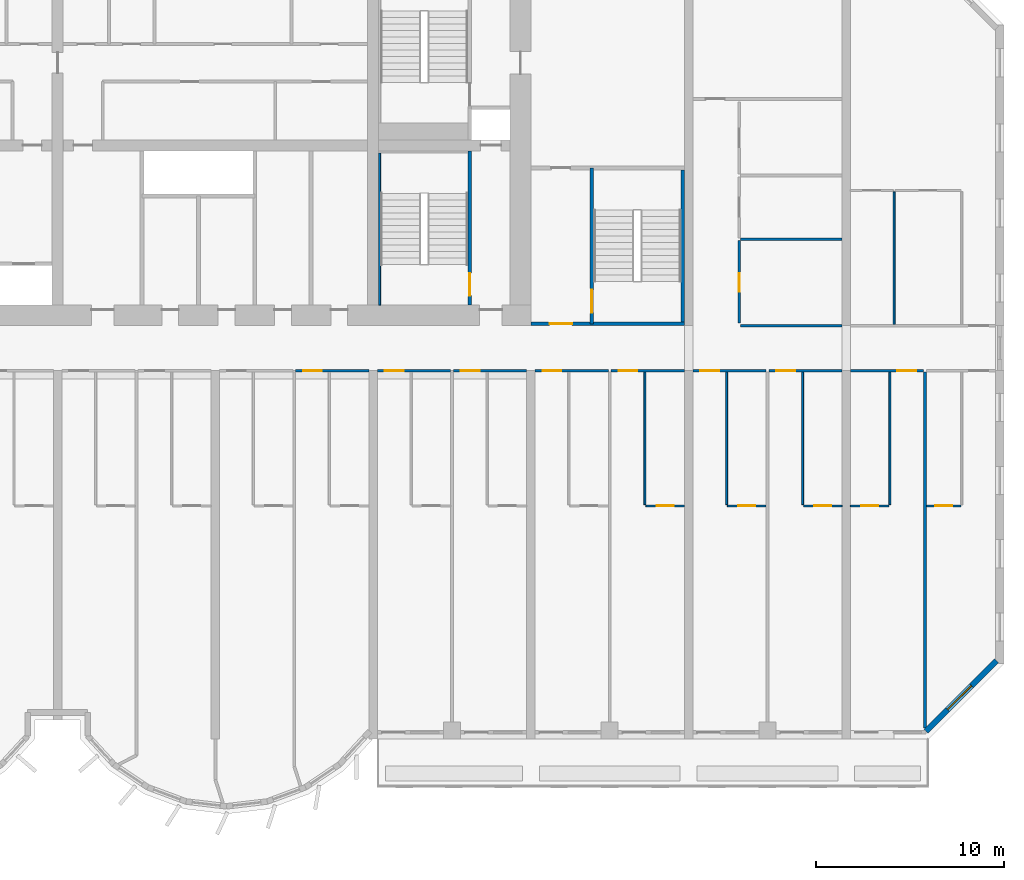
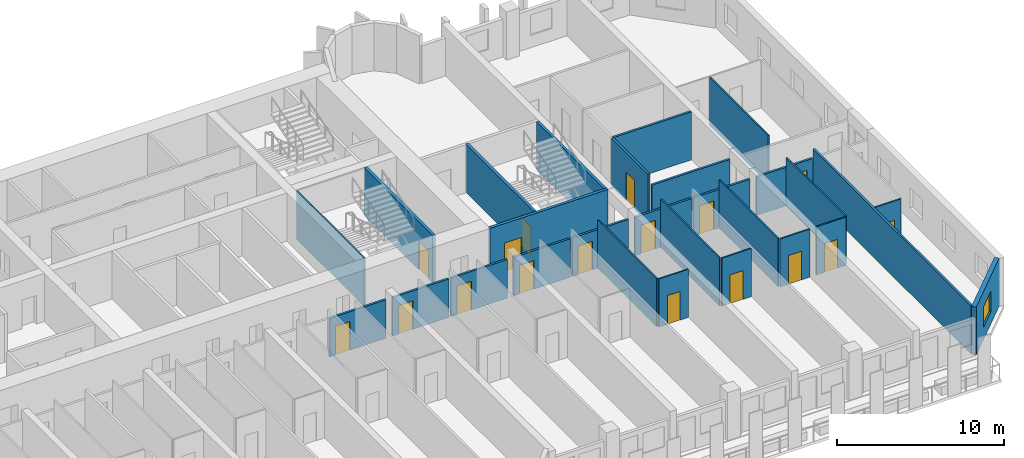
# One storey, part 9 of 15: 28 walls, 17 doors, 1 window, 18 openings.
"""IFC4 building model written with IfcOpenShell, lengths in metres."""

from ifc_helpers import new_model, si_unit, direction, frame, frame_2d, origin, place, context, subcontext, project, spatial, rectangle, extrude, source, transform, mapped, material, layer, layer_set, type_object, element, fill, save


model = new_model("IFC4")

# Units and contexts
model_context = context("Model", 3, precision=1e-05, world=origin(), true_north=direction((0.0, 1.0)))
body_context = subcontext(model_context, "Body", "Model", "MODEL_VIEW")
ifc_project = project(units=[si_unit("LENGTHUNIT", "METRE"), si_unit("AREAUNIT", "SQUARE_METRE"), si_unit("VOLUMEUNIT", "CUBIC_METRE"), si_unit("PLANEANGLEUNIT", "RADIAN"), si_unit("MASSUNIT", "GRAM", prefix="KILO")], contexts=[model_context])

# Site, building, storey
site_placement = place(None, origin())
site = spatial("IfcSite", under=ifc_project, at=site_placement, CompositionType="ELEMENT")
building_placement = place(site_placement, origin())
building = spatial("IfcBuilding", under=site, at=building_placement, Name="Vanashikhar Sky Hotel", CompositionType="ELEMENT")
storey_placement = place(building_placement, frame((0.0, 0.0, 35.39990234375)))
storey = spatial("IfcBuildingStorey", under=building, at=storey_placement, Name="L07", CompositionType="ELEMENT", Elevation=35.39990234375)

# Wall, opening, window
ifc_material_1 = material(Name="Concrete M50", Category="concrete")
ifc_layer_1 = layer(ifc_material_1, 0.300048828125)
ifc_layer_set_1 = layer_set([ifc_layer_1], Name="Lobe wall 300")
wall_type_1 = type_object("IfcWallType", Name="Lobe wall 300", PredefinedType="SOLIDWALL", material=ifc_layer_set_1)
shared_shape_1 = source(origin(), body_context, "Body", "SweptSolid", [
    extrude(rectangle(XDim=5.32568359375, YDim=0.300048828125, at=frame_2d((2.662841796875, 0.0))), origin(), (0.0, 0.0, 1.0), 3.52001953125),
])
wall_1_placement = place(storey_placement, frame((96.63427734375, 0.39990234375, 0.0), z_axis=(0.0, 0.0, 1.0), x_axis=(0.707083859269, 0.707129702361, 0.0)))
wall_1 = element("IfcWall", 1, at=wall_1_placement, inside=storey, type_object=wall_type_1, Name="Corner wall", PredefinedType="SOLIDWALL", context=body_context, shape_type="MappedRepresentation", body=[
    mapped(shared_shape_1, transform((0.0, 0.0, 0.0), scale=1.0)),
])
shared_shape_2 = source(origin(), body_context, "Body", "SweptSolid", [
    extrude(rectangle(XDim=1.800048828125, YDim=1.5, at=frame_2d((0.89990234375, 0.75))), frame((0.0, 0.16015625, 0.0), z_axis=(0.0, -1.0, 0.0), x_axis=(1.0, 0.0, 0.0)), (0.0, 0.0, 1.0), 0.320068359375),
])
opening_1_placement = place(wall_1_placement, frame((1.636474609375, 0.0, 0.89990234375)))
opening_1 = element("IfcOpeningElement", 2, at=opening_1_placement, cuts=wall_1, Name="Opening WN-4", PredefinedType="OPENING", context=body_context, shape_type="MappedRepresentation", body=[
    mapped(shared_shape_2, transform((0.0, 0.0, 0.0), scale=1.0)),
])
ifc_material_2 = material(Name="Glass", Category="glass")
window_type = type_object("IfcWindowType", Name="Corner window 1800 x 1500", PartitioningType="SINGLE_PANEL", PredefinedType="WINDOW", material=ifc_material_2)
shared_shape_3 = source(origin(), body_context, "Body", "SweptSolid", [
    extrude(rectangle(XDim=1.800048828125, YDim=1.5, at=frame_2d((0.89990234375, 0.75))), frame((0.0, 0.030029296875, 0.0), z_axis=(0.0, -1.0, 0.0), x_axis=(1.0, 0.0, 0.0)), (0.0, 0.0, 1.0), 0.06005859375),
])
window_placement = place(opening_1_placement, origin())
window = element("IfcWindow", 3, at=window_placement, inside=storey, type_object=window_type, Name="Window WN-4", OverallHeight=1.5, OverallWidth=1.800048828125, PartitioningType="SINGLE_PANEL", PredefinedType="WINDOW", context=body_context, shape_type="MappedRepresentation", body=[
    mapped(shared_shape_3, transform((0.0, 0.0, 0.0), scale=1.0)),
])
fill(opening_1, window)

# Wall, opening, door
ifc_layer_2 = layer(ifc_material_1, 0.199951171875)
ifc_layer_set_2 = layer_set([ifc_layer_2], Name="Stair wall 200")
wall_type_2 = type_object("IfcWallType", Name="Stair wall 200", PredefinedType="SOLIDWALL", material=ifc_layer_set_2)
shared_shape_4 = source(origin(), body_context, "Body", "SweptSolid", [
    extrude(rectangle(XDim=8.199951171875, YDim=0.199951171875, at=frame_2d((4.10009765625, 0.0))), origin(), (0.0, 0.0, 1.0), 3.52001953125),
])
wall_2_placement = place(storey_placement, frame((72.35009765625, 23.10009765625, 0.0), z_axis=(0.0, 0.0, 1.0), x_axis=(0.0, 1.0, 0.0)))
wall_2 = element("IfcWall", 4, at=wall_2_placement, inside=storey, type_object=wall_type_2, Name="Stair wall 200", PredefinedType="SOLIDWALL", context=body_context, shape_type="MappedRepresentation", body=[
    mapped(shared_shape_4, transform((0.0, 0.0, 0.0), scale=1.0)),
])
shared_shape_5 = source(origin(), body_context, "Body", "SweptSolid", [
    extrude(rectangle(XDim=1.199951171875, YDim=2.10009765625, at=frame_2d((0.60009765625, 1.050048828125))), frame((0.0, 0.10986328125, 0.0), z_axis=(0.0, -1.0, 0.0), x_axis=(1.0, 0.0, 0.0)), (0.0, 0.0, 1.0), 0.219970703125),
])
opening_2_placement = place(wall_2_placement, frame((0.5, 0.0, 0.0)))
opening_2 = element("IfcOpeningElement", 5, at=opening_2_placement, cuts=wall_2, Name="Opening DC-1", PredefinedType="OPENING", context=body_context, shape_type="MappedRepresentation", body=[
    mapped(shared_shape_5, transform((0.0, 0.0, 0.0), scale=1.0)),
])
ifc_material_3 = material(Name="Steel", Category="steel")
door_type_1 = type_object("IfcDoorType", Name="Stair door 1200 FD120", OperationType="NOTDEFINED", PredefinedType="DOOR", material=ifc_material_3)
shared_shape_6 = source(origin(), body_context, "Body", "SweptSolid", [
    extrude(rectangle(XDim=1.199951171875, YDim=2.10009765625, at=frame_2d((0.60009765625, 1.050048828125))), frame((0.0, 0.02490234375, 0.0), z_axis=(0.0, -1.0, 0.0), x_axis=(1.0, 0.0, 0.0)), (0.0, 0.0, 1.0), 0.050048828125),
])
door_1_placement = place(opening_2_placement, origin())
door_1 = element("IfcDoor", 6, at=door_1_placement, inside=storey, type_object=door_type_1, Name="Stair door 1200 FD120", OperationType="SINGLE_SWING_RIGHT", OverallHeight=2.10009765625, OverallWidth=1.199951171875, PredefinedType="DOOR", context=body_context, shape_type="MappedRepresentation", body=[
    mapped(shared_shape_6, transform((0.0, 0.0, 0.0), scale=1.0)),
])
fill(opening_2, door_1)

shared_shape_7 = source(origin(), body_context, "Body", "SweptSolid", [
    extrude(rectangle(XDim=8.2998046875, YDim=0.199951171875, at=frame_2d((4.14990234375, 0.0))), origin(), (0.0, 0.0, 1.0), 3.52001953125),
])
wall_3_placement = place(storey_placement, frame((78.85009765625, 22.10009765625, 0.0), z_axis=(0.0, 0.0, 1.0), x_axis=(0.0, 1.0, 0.0)))
wall_3 = element("IfcWall", 7, at=wall_3_placement, inside=storey, type_object=wall_type_2, Name="Stair wall 200", PredefinedType="SOLIDWALL", context=body_context, shape_type="MappedRepresentation", body=[
    mapped(shared_shape_7, transform((0.0, 0.0, 0.0), scale=1.0)),
])
opening_3_placement = place(wall_3_placement, frame((0.60009765625, 0.0, 0.0)))
opening_3 = element("IfcOpeningElement", 8, at=opening_3_placement, cuts=wall_3, Name="Opening DC-1", PredefinedType="OPENING", context=body_context, shape_type="MappedRepresentation", body=[
    mapped(shared_shape_5, transform((0.0, 0.0, 0.0), scale=1.0)),
])
door_2_placement = place(opening_3_placement, origin())
door_2 = element("IfcDoor", 9, at=door_2_placement, inside=storey, type_object=door_type_1, Name="Stair door 1200 FD120", OperationType="SINGLE_SWING_LEFT", OverallHeight=2.10009765625, OverallWidth=1.199951171875, PredefinedType="DOOR", context=body_context, shape_type="MappedRepresentation", body=[
    mapped(shared_shape_6, transform((0.0, 0.0, 0.0), scale=1.0)),
])
fill(opening_3, door_2)

shared_shape_8 = source(origin(), body_context, "Body", "SweptSolid", [
    extrude(rectangle(XDim=8.1748046875, YDim=0.199951171875, at=frame_2d((4.08740234375, 0.0))), origin(), (0.0, 0.0, 1.0), 3.52001953125),
])
wall_4_placement = place(storey_placement, frame((83.77490234375, 22.10009765625, 0.0), z_axis=(0.0, 0.0, 1.0), x_axis=(-1.0, 0.0, 0.0)))
wall_4 = element("IfcWall", 10, at=wall_4_placement, inside=storey, type_object=wall_type_2, Name="Stair wall 200", PredefinedType="SOLIDWALL", context=body_context, shape_type="MappedRepresentation", body=[
    mapped(shared_shape_8, transform((0.0, 0.0, 0.0), scale=1.0)),
])
opening_4_placement = place(wall_4_placement, frame((5.97509765625, 0.0, 0.0)))
opening_4 = element("IfcOpeningElement", 11, at=opening_4_placement, cuts=wall_4, Name="Opening DC-2", PredefinedType="OPENING", context=body_context, shape_type="MappedRepresentation", body=[
    mapped(shared_shape_5, transform((0.0, 0.0, 0.0), scale=1.0)),
])
door_type_2 = type_object("IfcDoorType", Name="Firefighting lobby door 1200 FD120", OperationType="NOTDEFINED", PredefinedType="DOOR", material=ifc_material_3)
door_3_placement = place(opening_4_placement, origin())
door_3 = element("IfcDoor", 12, at=door_3_placement, inside=storey, type_object=door_type_2, Name="Firefighting lobby door 1200 FD120", OperationType="SINGLE_SWING_RIGHT", OverallHeight=2.10009765625, OverallWidth=1.199951171875, PredefinedType="DOOR", context=body_context, shape_type="MappedRepresentation", body=[
    mapped(shared_shape_6, transform((0.0, 0.0, 0.0), scale=1.0)),
])
fill(opening_4, door_3)

# Walls
ifc_layer_3 = layer(ifc_material_1, 0.10009765625)
ifc_layer_set_3 = layer_set([ifc_layer_3], Name="Stair infill wall 100")
wall_type_3 = type_object("IfcWallType", Name="Stair infill wall 100", PredefinedType="SOLIDWALL", material=ifc_layer_set_3)
shared_shape_9 = source(origin(), body_context, "Body", "SweptSolid", [
    extrude(rectangle(XDim=8.099853515625, YDim=0.10009765625, at=frame_2d((4.0498046875, 0.0))), origin(), (0.0, 0.0, 1.0), 3.52001953125),
])
wall_5_placement = place(storey_placement, frame((67.550048828125, 23.10009765625, 0.0), z_axis=(0.0, 0.0, 1.0), x_axis=(0.0, 1.0, 0.0)))
element("IfcWall", 13, at=wall_5_placement, inside=storey, type_object=wall_type_3, Name="Stair infill wall 100", PredefinedType="SOLIDWALL", context=body_context, shape_type="MappedRepresentation", body=[
    mapped(shared_shape_9, transform((0.0, 0.0, 0.0), scale=1.0)),
])
ifc_layer_4 = layer(ifc_material_1, 0.175048828125)
ifc_layer_set_4 = layer_set([ifc_layer_4], Name="Stair infill wall 175")
wall_type_4 = type_object("IfcWallType", Name="Stair infill wall 175", PredefinedType="SOLIDWALL", material=ifc_layer_set_4)
shared_shape_10 = source(origin(), body_context, "Body", "SweptSolid", [
    extrude(rectangle(XDim=8.10009765625, YDim=0.175048828125, at=frame_2d((4.050048828125, 0.0))), origin(), (0.0, 0.0, 1.0), 3.52001953125),
])
wall_6_placement = place(storey_placement, frame((83.68798828125, 22.199951171875, 0.0), z_axis=(0.0, 0.0, 1.0), x_axis=(0.0, 1.0, 0.0)))
element("IfcWall", 14, at=wall_6_placement, inside=storey, type_object=wall_type_4, Name="Stair infill wall 175", PredefinedType="SOLIDWALL", context=body_context, shape_type="MappedRepresentation", body=[
    mapped(shared_shape_10, transform((0.0, 0.0, 0.0), scale=1.0)),
])
ifc_material_4 = material(Name="Gypsum plasterboard partition")
ifc_layer_5 = layer(ifc_material_4, 0.10009765625)
ifc_layer_set_5 = layer_set([ifc_layer_5], Name="Wet room partition 100")
wall_type_5 = type_object("IfcWallType", Name="Wet room partition 100", PredefinedType="PARTITIONING", material=ifc_layer_set_5)
shared_shape_11 = source(origin(), body_context, "Body", "SweptSolid", [
    extrude(rectangle(XDim=7.0498046875, YDim=0.10009765625, at=frame_2d((3.52490234375, 0.0))), origin(), (0.0, 0.0, 1.0), 3.52001953125),
])
for number, where, z_axis, x_axis, name in (
    (15, (81.675048828125, 12.47509765625, 0.0), (0.0, 0.0, 1.0), (0.0, 1.0, 0.0), "W-L07-PW067"),
    (16, (86.02490234375, 12.47509765625, 0.0), (0.0, 0.0, 1.0), (0.0, 1.0, 0.0), "W-L07-PW071"),
    (17, (90.074951171875, 12.47509765625, 0.0), (0.0, 0.0, 1.0), (0.0, 1.0, 0.0), "W-L07-PW074"),
    (18, (94.72509765625, 12.47509765625, 0.0), (0.0, 0.0, 1.0), (0.0, 1.0, 0.0), "W-L07-PW078"),
):
    element("IfcWall", number, at=place(storey_placement, frame(where, z_axis=z_axis, x_axis=x_axis)), inside=storey, type_object=wall_type_5, Name=name, PredefinedType="PARTITIONING", context=body_context, shape_type="MappedRepresentation", body=[
        mapped(shared_shape_11, transform((0.0, 0.0, 0.0), scale=1.0)),
    ])

# Wall, opening, door
shared_shape_12 = source(origin(), body_context, "Body", "SweptSolid", [
    extrude(rectangle(XDim=1.824951171875, YDim=0.10009765625, at=frame_2d((0.91259765625, 0.0))), origin(), (0.0, 0.0, 1.0), 3.52001953125),
])
wall_7_placement = place(storey_placement, frame((96.675048828125, 12.39990234375, 0.0), z_axis=(0.0, 0.0, 1.0), x_axis=(1.0, 0.0, 0.0)))
wall_7 = element("IfcWall", 19, at=wall_7_placement, inside=storey, type_object=wall_type_5, Name="W-L07-PW082", PredefinedType="PARTITIONING", context=body_context, shape_type="MappedRepresentation", body=[
    mapped(shared_shape_12, transform((0.0, 0.0, 0.0), scale=1.0)),
])
shared_shape_13 = source(origin(), body_context, "Body", "SweptSolid", [
    extrude(rectangle(XDim=0.89990234375, YDim=2.10009765625, at=frame_2d((0.449951171875, 1.050048828125))), frame((0.0, 0.06005859375, 0.0), z_axis=(0.0, -1.0, 0.0), x_axis=(1.0, 0.0, 0.0)), (0.0, 0.0, 1.0), 0.1201171875),
])
opening_5_placement = place(wall_7_placement, frame((0.462890625, 0.0, 0.0)))
opening_5 = element("IfcOpeningElement", 20, at=opening_5_placement, cuts=wall_7, Name="Opening D-02", PredefinedType="OPENING", context=body_context, shape_type="MappedRepresentation", body=[
    mapped(shared_shape_13, transform((0.0, 0.0, 0.0), scale=1.0)),
])
ifc_material_5 = material(Name="Timber door", Category="wood")
door_type_3 = type_object("IfcDoorType", Name="Internal door 900", OperationType="NOTDEFINED", PredefinedType="DOOR", material=ifc_material_5)
shared_shape_14 = source(origin(), body_context, "Body", "SweptSolid", [
    extrude(rectangle(XDim=0.89990234375, YDim=2.10009765625, at=frame_2d((0.449951171875, 1.050048828125))), frame((0.0, 0.02490234375, 0.0), z_axis=(0.0, -1.0, 0.0), x_axis=(1.0, 0.0, 0.0)), (0.0, 0.0, 1.0), 0.050048828125),
])
door_4_placement = place(opening_5_placement, origin())
door_4 = element("IfcDoor", 21, at=door_4_placement, inside=storey, type_object=door_type_3, Name="D-L07-047", OperationType="SINGLE_SWING_RIGHT", OverallHeight=2.10009765625, OverallWidth=0.89990234375, PredefinedType="DOOR", context=body_context, shape_type="MappedRepresentation", body=[
    mapped(shared_shape_14, transform((0.0, 0.0, 0.0), scale=1.0)),
])
fill(opening_5, door_4)

shared_shape_15 = source(origin(), body_context, "Body", "SweptSolid", [
    extrude(rectangle(XDim=2.050048828125, YDim=0.10009765625, at=frame_2d((1.02490234375, 0.0))), origin(), (0.0, 0.0, 1.0), 3.52001953125),
])
wall_8_placement = place(storey_placement, frame((86.074951171875, 12.39990234375, 0.0), z_axis=(0.0, 0.0, 1.0), x_axis=(1.0, 0.0, 0.0)))
wall_8 = element("IfcWall", 22, at=wall_8_placement, inside=storey, type_object=wall_type_5, Name="W-L07-PW072", PredefinedType="PARTITIONING", context=body_context, shape_type="MappedRepresentation", body=[
    mapped(shared_shape_15, transform((0.0, 0.0, 0.0), scale=1.0)),
])
opening_6_placement = place(wall_8_placement, frame((0.574951171875, 0.0, 0.0)))
opening_6 = element("IfcOpeningElement", 23, at=opening_6_placement, cuts=wall_8, Name="Opening D-02", PredefinedType="OPENING", context=body_context, shape_type="MappedRepresentation", body=[
    mapped(shared_shape_13, transform((0.0, 0.0, 0.0), scale=1.0)),
])
door_5_placement = place(opening_6_placement, origin())
door_5 = element("IfcDoor", 24, at=door_5_placement, inside=storey, type_object=door_type_3, Name="D-L07-041", OperationType="SINGLE_SWING_LEFT", OverallHeight=2.10009765625, OverallWidth=0.89990234375, PredefinedType="DOOR", context=body_context, shape_type="MappedRepresentation", body=[
    mapped(shared_shape_14, transform((0.0, 0.0, 0.0), scale=1.0)),
])
fill(opening_6, door_5)

wall_9_placement = place(storey_placement, frame((90.125, 12.39990234375, 0.0), z_axis=(0.0, 0.0, 1.0), x_axis=(1.0, 0.0, 0.0)))
wall_9 = element("IfcWall", 25, at=wall_9_placement, inside=storey, type_object=wall_type_5, Name="W-L07-PW075", PredefinedType="PARTITIONING", context=body_context, shape_type="MappedRepresentation", body=[
    mapped(shared_shape_15, transform((0.0, 0.0, 0.0), scale=1.0)),
])
opening_7_placement = place(wall_9_placement, frame((0.574951171875, 0.0, 0.0)))
opening_7 = element("IfcOpeningElement", 26, at=opening_7_placement, cuts=wall_9, Name="Opening D-02", PredefinedType="OPENING", context=body_context, shape_type="MappedRepresentation", body=[
    mapped(shared_shape_13, transform((0.0, 0.0, 0.0), scale=1.0)),
])
door_6_placement = place(opening_7_placement, origin())
door_6 = element("IfcDoor", 27, at=door_6_placement, inside=storey, type_object=door_type_3, Name="D-L07-043", OperationType="SINGLE_SWING_LEFT", OverallHeight=2.10009765625, OverallWidth=0.89990234375, PredefinedType="DOOR", context=body_context, shape_type="MappedRepresentation", body=[
    mapped(shared_shape_14, transform((0.0, 0.0, 0.0), scale=1.0)),
])
fill(opening_7, door_6)

wall_10_placement = place(storey_placement, frame((92.625, 12.39990234375, 0.0), z_axis=(0.0, 0.0, 1.0), x_axis=(1.0, 0.0, 0.0)))
wall_10 = element("IfcWall", 28, at=wall_10_placement, inside=storey, type_object=wall_type_5, Name="W-L07-PW079", PredefinedType="PARTITIONING", context=body_context, shape_type="MappedRepresentation", body=[
    mapped(shared_shape_15, transform((0.0, 0.0, 0.0), scale=1.0)),
])
opening_8_placement = place(wall_10_placement, frame((0.574951171875, 0.0, 0.0)))
opening_8 = element("IfcOpeningElement", 29, at=opening_8_placement, cuts=wall_10, Name="Opening D-02", PredefinedType="OPENING", context=body_context, shape_type="MappedRepresentation", body=[
    mapped(shared_shape_13, transform((0.0, 0.0, 0.0), scale=1.0)),
])
door_7_placement = place(opening_8_placement, origin())
door_7 = element("IfcDoor", 30, at=door_7_placement, inside=storey, type_object=door_type_3, Name="D-L07-045", OperationType="SINGLE_SWING_RIGHT", OverallHeight=2.10009765625, OverallWidth=0.89990234375, PredefinedType="DOOR", context=body_context, shape_type="MappedRepresentation", body=[
    mapped(shared_shape_14, transform((0.0, 0.0, 0.0), scale=1.0)),
])
fill(opening_8, door_7)

ifc_layer_6 = layer(ifc_material_4, 0.14990234375)
ifc_layer_set_6 = layer_set([ifc_layer_6], Name="Corridor and demising partition 150")
wall_type_6 = type_object("IfcWallType", Name="Corridor and demising partition 150", PredefinedType="PARTITIONING", material=ifc_layer_set_6)
shared_shape_16 = source(origin(), body_context, "Body", "SweptSolid", [
    extrude(rectangle(XDim=3.900146484375, YDim=0.14990234375, at=frame_2d((1.9501953125, 0.0))), origin(), (0.0, 0.0, 1.0), 2.820068359375),
])
wall_11_placement = place(storey_placement, frame((63.074951171875, 19.60009765625, 0.0), z_axis=(0.0, 0.0, 1.0), x_axis=(1.0, 0.0, 0.0)))
wall_11 = element("IfcWall", 31, at=wall_11_placement, inside=storey, type_object=wall_type_6, Name="W-L07-PW055", PredefinedType="PARTITIONING", context=body_context, shape_type="MappedRepresentation", body=[
    mapped(shared_shape_16, transform((0.0, 0.0, 0.0), scale=1.0)),
])
shared_shape_17 = source(origin(), body_context, "Body", "SweptSolid", [
    extrude(rectangle(XDim=1.0, YDim=2.10009765625, at=frame_2d((0.5, 1.050048828125))), frame((0.0, 0.0849609375, 0.0), z_axis=(0.0, -1.0, 0.0), x_axis=(1.0, 0.0, 0.0)), (0.0, 0.0, 1.0), 0.169921875),
])
opening_9_placement = place(wall_11_placement, frame((0.39990234375, 0.0, 0.0)))
opening_9 = element("IfcOpeningElement", 32, at=opening_9_placement, cuts=wall_11, Name="Opening D-01", PredefinedType="OPENING", context=body_context, shape_type="MappedRepresentation", body=[
    mapped(shared_shape_17, transform((0.0, 0.0, 0.0), scale=1.0)),
])
ifc_material_6 = material(Name="Timber fire door", Category="wood")
door_type_4 = type_object("IfcDoorType", Name="Guest entry door 1000 FD30S", OperationType="NOTDEFINED", PredefinedType="DOOR", material=ifc_material_6)
shared_shape_18 = source(origin(), body_context, "Body", "SweptSolid", [
    extrude(rectangle(XDim=1.0, YDim=2.10009765625, at=frame_2d((0.5, 1.050048828125))), frame((0.0, 0.02490234375, 0.0), z_axis=(0.0, -1.0, 0.0), x_axis=(1.0, 0.0, 0.0)), (0.0, 0.0, 1.0), 0.050048828125),
])
door_8_placement = place(opening_9_placement, origin())
door_8 = element("IfcDoor", 33, at=door_8_placement, inside=storey, type_object=door_type_4, Name="D-L07-032", OperationType="SINGLE_SWING_LEFT", OverallHeight=2.10009765625, OverallWidth=1.0, PredefinedType="DOOR", context=body_context, shape_type="MappedRepresentation", body=[
    mapped(shared_shape_18, transform((0.0, 0.0, 0.0), scale=1.0)),
])
fill(opening_9, door_8)

wall_12_placement = place(storey_placement, frame((75.824951171875, 19.60009765625, 0.0), z_axis=(0.0, 0.0, 1.0), x_axis=(1.0, 0.0, 0.0)))
wall_12 = element("IfcWall", 34, at=wall_12_placement, inside=storey, type_object=wall_type_6, Name="W-L07-PW066", PredefinedType="PARTITIONING", context=body_context, shape_type="MappedRepresentation", body=[
    mapped(shared_shape_16, transform((0.0, 0.0, 0.0), scale=1.0)),
])
opening_10_placement = place(wall_12_placement, frame((0.39990234375, 0.0, 0.0)))
opening_10 = element("IfcOpeningElement", 35, at=opening_10_placement, cuts=wall_12, Name="Opening D-01", PredefinedType="OPENING", context=body_context, shape_type="MappedRepresentation", body=[
    mapped(shared_shape_17, transform((0.0, 0.0, 0.0), scale=1.0)),
])
door_9_placement = place(opening_10_placement, origin())
door_9 = element("IfcDoor", 36, at=door_9_placement, inside=storey, type_object=door_type_4, Name="D-L07-038", OperationType="SINGLE_SWING_LEFT", OverallHeight=2.10009765625, OverallWidth=1.0, PredefinedType="DOOR", context=body_context, shape_type="MappedRepresentation", body=[
    mapped(shared_shape_18, transform((0.0, 0.0, 0.0), scale=1.0)),
])
fill(opening_10, door_9)

wall_13_placement = place(storey_placement, frame((88.27490234375, 19.60009765625, 0.0), z_axis=(0.0, 0.0, 1.0), x_axis=(1.0, 0.0, 0.0)))
wall_13 = element("IfcWall", 37, at=wall_13_placement, inside=storey, type_object=wall_type_6, Name="W-L07-PW076", PredefinedType="PARTITIONING", context=body_context, shape_type="MappedRepresentation", body=[
    mapped(shared_shape_16, transform((0.0, 0.0, 0.0), scale=1.0)),
])
opening_11_placement = place(wall_13_placement, frame((0.39990234375, 0.0, 0.0)))
opening_11 = element("IfcOpeningElement", 38, at=opening_11_placement, cuts=wall_13, Name="Opening D-01", PredefinedType="OPENING", context=body_context, shape_type="MappedRepresentation", body=[
    mapped(shared_shape_17, transform((0.0, 0.0, 0.0), scale=1.0)),
])
door_10_placement = place(opening_11_placement, origin())
door_10 = element("IfcDoor", 39, at=door_10_placement, inside=storey, type_object=door_type_4, Name="D-L07-044", OperationType="SINGLE_SWING_LEFT", OverallHeight=2.10009765625, OverallWidth=1.0, PredefinedType="DOOR", context=body_context, shape_type="MappedRepresentation", body=[
    mapped(shared_shape_18, transform((0.0, 0.0, 0.0), scale=1.0)),
])
fill(opening_11, door_10)

# Wall
shared_shape_19 = source(origin(), body_context, "Body", "SweptSolid", [
    extrude(rectangle(XDim=18.947021484375, YDim=0.14990234375, at=frame_2d((9.4736328125, 0.0))), origin(), (0.0, 0.0, 1.0), 3.52001953125),
])
wall_14_placement = place(storey_placement, frame((96.60009765625, 0.577880859375, 0.0), z_axis=(0.0, 0.0, 1.0), x_axis=(0.0, 1.0, 0.0)))
element("IfcWall", 40, at=wall_14_placement, inside=storey, type_object=wall_type_6, Name="W-L07-PW084", PredefinedType="PARTITIONING", context=body_context, shape_type="MappedRepresentation", body=[
    mapped(shared_shape_19, transform((0.0, 0.0, 0.0), scale=1.0)),
])

# Wall, opening, door
shared_shape_20 = source(origin(), body_context, "Body", "SweptSolid", [
    extrude(rectangle(XDim=2.0498046875, YDim=0.10009765625, at=frame_2d((1.02490234375, 0.0))), origin(), (0.0, 0.0, 1.0), 3.52001953125),
])
wall_15_placement = place(storey_placement, frame((81.72509765625, 12.39990234375, 0.0), z_axis=(0.0, 0.0, 1.0), x_axis=(1.0, 0.0, 0.0)))
wall_15 = element("IfcWall", 41, at=wall_15_placement, inside=storey, type_object=wall_type_5, Name="W-L07-PW068", PredefinedType="PARTITIONING", context=body_context, shape_type="MappedRepresentation", body=[
    mapped(shared_shape_20, transform((0.0, 0.0, 0.0), scale=1.0)),
])
opening_12_placement = place(wall_15_placement, frame((0.574951171875, 0.0, 0.0)))
opening_12 = element("IfcOpeningElement", 42, at=opening_12_placement, cuts=wall_15, Name="Opening D-02", PredefinedType="OPENING", context=body_context, shape_type="MappedRepresentation", body=[
    mapped(shared_shape_13, transform((0.0, 0.0, 0.0), scale=1.0)),
])
door_11_placement = place(opening_12_placement, origin())
door_11 = element("IfcDoor", 43, at=door_11_placement, inside=storey, type_object=door_type_3, Name="D-L07-039", OperationType="SINGLE_SWING_LEFT", OverallHeight=2.10009765625, OverallWidth=0.89990234375, PredefinedType="DOOR", context=body_context, shape_type="MappedRepresentation", body=[
    mapped(shared_shape_14, transform((0.0, 0.0, 0.0), scale=1.0)),
])
fill(opening_12, door_11)

shared_shape_21 = source(origin(), body_context, "Body", "SweptSolid", [
    extrude(rectangle(XDim=3.89990234375, YDim=0.14990234375, at=frame_2d((1.949951171875, 0.0))), origin(), (0.0, 0.0, 1.0), 2.820068359375),
])
wall_16_placement = place(storey_placement, frame((67.425048828125, 19.60009765625, 0.0), z_axis=(0.0, 0.0, 1.0), x_axis=(1.0, 0.0, 0.0)))
wall_16 = element("IfcWall", 44, at=wall_16_placement, inside=storey, type_object=wall_type_6, Name="W-L07-PW059", PredefinedType="PARTITIONING", context=body_context, shape_type="MappedRepresentation", body=[
    mapped(shared_shape_21, transform((0.0, 0.0, 0.0), scale=1.0)),
])
opening_13_placement = place(wall_16_placement, frame((0.39990234375, 0.0, 0.0)))
opening_13 = element("IfcOpeningElement", 45, at=opening_13_placement, cuts=wall_16, Name="Opening D-01", PredefinedType="OPENING", context=body_context, shape_type="MappedRepresentation", body=[
    mapped(shared_shape_17, transform((0.0, 0.0, 0.0), scale=1.0)),
])
door_12_placement = place(opening_13_placement, origin())
door_12 = element("IfcDoor", 46, at=door_12_placement, inside=storey, type_object=door_type_4, Name="D-L07-034", OperationType="SINGLE_SWING_LEFT", OverallHeight=2.10009765625, OverallWidth=1.0, PredefinedType="DOOR", context=body_context, shape_type="MappedRepresentation", body=[
    mapped(shared_shape_18, transform((0.0, 0.0, 0.0), scale=1.0)),
])
fill(opening_13, door_12)

wall_17_placement = place(storey_placement, frame((71.47509765625, 19.60009765625, 0.0), z_axis=(0.0, 0.0, 1.0), x_axis=(1.0, 0.0, 0.0)))
wall_17 = element("IfcWall", 47, at=wall_17_placement, inside=storey, type_object=wall_type_6, Name="W-L07-PW062", PredefinedType="PARTITIONING", context=body_context, shape_type="MappedRepresentation", body=[
    mapped(shared_shape_21, transform((0.0, 0.0, 0.0), scale=1.0)),
])
opening_14_placement = place(wall_17_placement, frame((0.39990234375, 0.0, 0.0)))
opening_14 = element("IfcOpeningElement", 48, at=opening_14_placement, cuts=wall_17, Name="Opening D-01", PredefinedType="OPENING", context=body_context, shape_type="MappedRepresentation", body=[
    mapped(shared_shape_17, transform((0.0, 0.0, 0.0), scale=1.0)),
])
door_13_placement = place(opening_14_placement, origin())
door_13 = element("IfcDoor", 49, at=door_13_placement, inside=storey, type_object=door_type_4, Name="D-L07-036", OperationType="SINGLE_SWING_LEFT", OverallHeight=2.10009765625, OverallWidth=1.0, PredefinedType="DOOR", context=body_context, shape_type="MappedRepresentation", body=[
    mapped(shared_shape_18, transform((0.0, 0.0, 0.0), scale=1.0)),
])
fill(opening_14, door_13)

wall_18_placement = place(storey_placement, frame((79.875, 19.60009765625, 0.0), z_axis=(0.0, 0.0, 1.0), x_axis=(1.0, 0.0, 0.0)))
wall_18 = element("IfcWall", 50, at=wall_18_placement, inside=storey, type_object=wall_type_6, Name="W-L07-PW069", PredefinedType="PARTITIONING", context=body_context, shape_type="MappedRepresentation", body=[
    mapped(shared_shape_21, transform((0.0, 0.0, 0.0), scale=1.0)),
])
opening_15_placement = place(wall_18_placement, frame((0.39990234375, 0.0, 0.0)))
opening_15 = element("IfcOpeningElement", 51, at=opening_15_placement, cuts=wall_18, Name="Opening D-01", PredefinedType="OPENING", context=body_context, shape_type="MappedRepresentation", body=[
    mapped(shared_shape_17, transform((0.0, 0.0, 0.0), scale=1.0)),
])
door_14_placement = place(opening_15_placement, origin())
door_14 = element("IfcDoor", 52, at=door_14_placement, inside=storey, type_object=door_type_4, Name="D-L07-040", OperationType="SINGLE_SWING_LEFT", OverallHeight=2.10009765625, OverallWidth=1.0, PredefinedType="DOOR", context=body_context, shape_type="MappedRepresentation", body=[
    mapped(shared_shape_18, transform((0.0, 0.0, 0.0), scale=1.0)),
])
fill(opening_15, door_14)

wall_19_placement = place(storey_placement, frame((84.22509765625, 19.60009765625, 0.0), z_axis=(0.0, 0.0, 1.0), x_axis=(1.0, 0.0, 0.0)))
wall_19 = element("IfcWall", 53, at=wall_19_placement, inside=storey, type_object=wall_type_6, Name="W-L07-PW073", PredefinedType="PARTITIONING", context=body_context, shape_type="MappedRepresentation", body=[
    mapped(shared_shape_21, transform((0.0, 0.0, 0.0), scale=1.0)),
])
opening_16_placement = place(wall_19_placement, frame((0.39990234375, 0.0, 0.0)))
opening_16 = element("IfcOpeningElement", 54, at=opening_16_placement, cuts=wall_19, Name="Opening D-01", PredefinedType="OPENING", context=body_context, shape_type="MappedRepresentation", body=[
    mapped(shared_shape_17, transform((0.0, 0.0, 0.0), scale=1.0)),
])
door_15_placement = place(opening_16_placement, origin())
door_15 = element("IfcDoor", 55, at=door_15_placement, inside=storey, type_object=door_type_4, Name="D-L07-042", OperationType="SINGLE_SWING_LEFT", OverallHeight=2.10009765625, OverallWidth=1.0, PredefinedType="DOOR", context=body_context, shape_type="MappedRepresentation", body=[
    mapped(shared_shape_18, transform((0.0, 0.0, 0.0), scale=1.0)),
])
fill(opening_16, door_15)

wall_20_placement = place(storey_placement, frame((92.625, 19.60009765625, 0.0), z_axis=(0.0, 0.0, 1.0), x_axis=(1.0, 0.0, 0.0)))
wall_20 = element("IfcWall", 56, at=wall_20_placement, inside=storey, type_object=wall_type_6, Name="W-L07-PW080", PredefinedType="PARTITIONING", context=body_context, shape_type="MappedRepresentation", body=[
    mapped(shared_shape_21, transform((0.0, 0.0, 0.0), scale=1.0)),
])
opening_17_placement = place(wall_20_placement, frame((2.5, 0.0, 0.0)))
opening_17 = element("IfcOpeningElement", 57, at=opening_17_placement, cuts=wall_20, Name="Opening D-01", PredefinedType="OPENING", context=body_context, shape_type="MappedRepresentation", body=[
    mapped(shared_shape_17, transform((0.0, 0.0, 0.0), scale=1.0)),
])
door_16_placement = place(opening_17_placement, origin())
door_16 = element("IfcDoor", 58, at=door_16_placement, inside=storey, type_object=door_type_4, Name="D-L07-046", OperationType="SINGLE_SWING_RIGHT", OverallHeight=2.10009765625, OverallWidth=1.0, PredefinedType="DOOR", context=body_context, shape_type="MappedRepresentation", body=[
    mapped(shared_shape_18, transform((0.0, 0.0, 0.0), scale=1.0)),
])
fill(opening_17, door_16)

shared_shape_22 = source(origin(), body_context, "Body", "SweptSolid", [
    extrude(rectangle(XDim=4.375, YDim=0.14990234375, at=frame_2d((2.1875, 0.0))), origin(), (0.0, 0.0, 1.0), 3.52001953125),
])
wall_21_placement = place(storey_placement, frame((86.699951171875, 22.14990234375, 0.0), z_axis=(0.0, 0.0, 1.0), x_axis=(0.0, 1.0, 0.0)))
wall_21 = element("IfcWall", 59, at=wall_21_placement, inside=storey, type_object=wall_type_6, Name="W-L07-PW102", PredefinedType="PARTITIONING", context=body_context, shape_type="MappedRepresentation", body=[
    mapped(shared_shape_22, transform((0.0, 0.0, 0.0), scale=1.0)),
])
opening_18_placement = place(wall_21_placement, frame((1.64990234375, 0.0, 0.0)))
opening_18 = element("IfcOpeningElement", 60, at=opening_18_placement, cuts=wall_21, Name="Opening D-01", PredefinedType="OPENING", context=body_context, shape_type="MappedRepresentation", body=[
    mapped(shared_shape_17, transform((0.0, 0.0, 0.0), scale=1.0)),
])
door_17_placement = place(opening_18_placement, origin())
door_17 = element("IfcDoor", 61, at=door_17_placement, inside=storey, type_object=door_type_4, Name="D-L07-057", OperationType="SINGLE_SWING_LEFT", OverallHeight=2.10009765625, OverallWidth=1.0, PredefinedType="DOOR", context=body_context, shape_type="MappedRepresentation", body=[
    mapped(shared_shape_18, transform((0.0, 0.0, 0.0), scale=1.0)),
])
fill(opening_18, door_17)

# Walls
shared_shape_23 = source(origin(), body_context, "Body", "SweptSolid", [
    extrude(rectangle(XDim=7.050048828125, YDim=0.10009765625, at=frame_2d((3.52490234375, 0.0))), origin(), (0.0, 0.0, 1.0), 3.52001953125),
])
wall_22_placement = place(storey_placement, frame((94.949951171875, 22.074951171875, 0.0), z_axis=(0.0, 0.0, 1.0), x_axis=(0.0, 1.0, 0.0)))
element("IfcWall", 62, at=wall_22_placement, inside=storey, type_object=wall_type_5, Name="W-L07-PW109", PredefinedType="PARTITIONING", context=body_context, shape_type="MappedRepresentation", body=[
    mapped(shared_shape_23, transform((0.0, 0.0, 0.0), scale=1.0)),
])
shared_shape_24 = source(origin(), body_context, "Body", "SweptSolid", [
    extrude(rectangle(XDim=5.400146484375, YDim=0.14990234375, at=frame_2d((2.7001953125, 0.0))), origin(), (0.0, 0.0, 1.0), 3.52001953125),
])
wall_23_placement = place(storey_placement, frame((86.77490234375, 26.60009765625, 0.0), z_axis=(0.0, 0.0, 1.0), x_axis=(1.0, 0.0, 0.0)))
element("IfcWall", 63, at=wall_23_placement, inside=storey, type_object=wall_type_6, Name="W-L07-PW103", PredefinedType="PARTITIONING", context=body_context, shape_type="MappedRepresentation", body=[
    mapped(shared_shape_24, transform((0.0, 0.0, 0.0), scale=1.0)),
])
shared_shape_25 = source(origin(), body_context, "Body", "SweptSolid", [
    extrude(rectangle(XDim=5.400146484375, YDim=0.14990234375, at=frame_2d((2.7001953125, 0.0))), origin(), (0.0, 0.0, 1.0), 2.820068359375),
])
wall_24_placement = place(storey_placement, frame((86.77490234375, 22.0, 0.0), z_axis=(0.0, 0.0, 1.0), x_axis=(1.0, 0.0, 0.0)))
element("IfcWall", 64, at=wall_24_placement, inside=storey, type_object=wall_type_6, Name="W-L07-PW101", PredefinedType="PARTITIONING", context=body_context, shape_type="MappedRepresentation", body=[
    mapped(shared_shape_25, transform((0.0, 0.0, 0.0), scale=1.0)),
])

save(model, "model.ifc")
